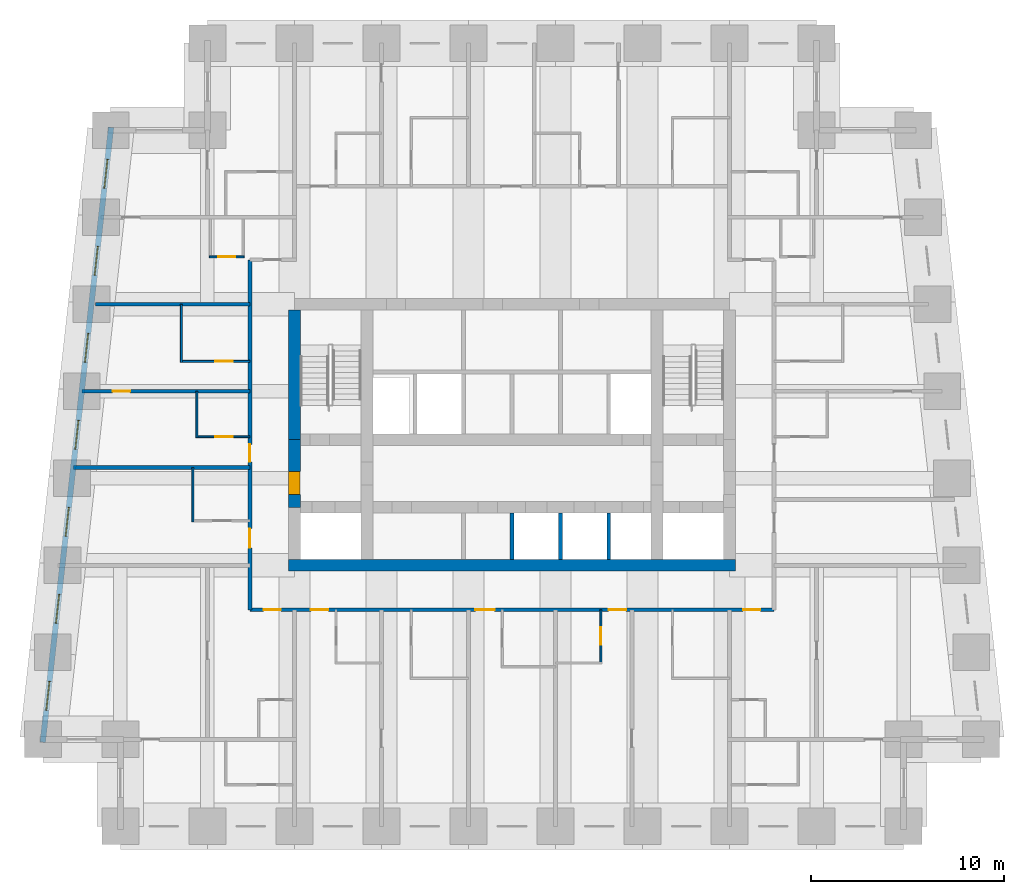
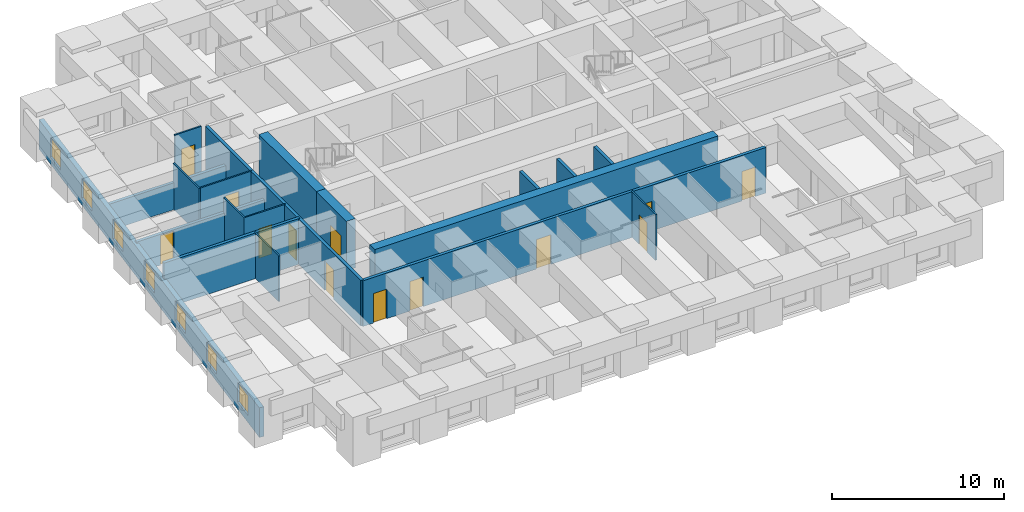
# One storey, part 3 of 8: 19 walls, 13 doors, 7 windows, 20 openings.
"""IFC4 building model written with IfcOpenShell, lengths in metres."""

import ifcopenshell
import ifcopenshell.guid

model = None  # the IFC model being written
_history = None  # IfcOwnerHistory: only IFC2X3 demands one
_inside = {}  # id of a spatial element -> (the spatial element, [elements in it])
_under = {}  # id of a project, library or spatial element -> (it, [spatial elements below it])
_declared = {}  # id of a project -> (the project, [libraries it declares])
_typed = {}  # id of a type object -> (the type object, [elements of that type])
_made_of = {}  # id of a material, layer set ... -> (it, [elements and type objects made of it])


def new_model(schema):
    """Start an empty IFC model of exactly this schema.

    Asked for "IFC4X3", IfcOpenShell would pick the latest addendum, in which some entities
    have other attributes; the version numbers below select the first issue.
    IFC2X3 requires an IfcOwnerHistory on every rooted entity: one is made here for all.
    """
    global model, _history
    if schema == "IFC4X3":
        model = ifcopenshell.file(schema_version=(4, 3, 0, 0))
    else:
        model = ifcopenshell.file(schema=schema)
    _inside.clear()
    _under.clear()
    _declared.clear()
    _typed.clear()
    _made_of.clear()
    _history = None
    if model.schema == "IFC2X3":
        org = make("IfcOrganization", Name="unknown")
        user = make(
            "IfcPersonAndOrganization",
            ThePerson=make("IfcPerson", FamilyName="unknown"),
            TheOrganization=org,
        )
        app = make(
            "IfcApplication",
            ApplicationDeveloper=org,
            Version="unknown",
            ApplicationFullName="unknown",
            ApplicationIdentifier="unknown",
        )
        _history = make(
            "IfcOwnerHistory",
            OwningUser=user,
            OwningApplication=app,
            ChangeAction="ADDED",
            CreationDate=0,
        )
    return model


def make(cls, **values):
    """One entity of the class cls with the attributes given. An attribute that is None is left unset."""
    return model.create_entity(
        cls, **{name: value for name, value in values.items() if value is not None}
    )


def rooted(cls, **values):
    """An entity with a GlobalId (a new one), such as an element, a storey or a relation."""
    return make(cls, GlobalId=ifcopenshell.guid.new(), OwnerHistory=_history, **values)


def si_unit(unit_type, name, prefix=None):
    """IfcSIUnit, for example si_unit("LENGTHUNIT", "METRE", prefix="MILLI")."""
    return make("IfcSIUnit", UnitType=unit_type, Prefix=prefix, Name=name)


def assignment(units):
    """IfcUnitAssignment: the units of a project."""
    return None if units is None else make("IfcUnitAssignment", Units=units)


def point(xyz):
    """IfcCartesianPoint."""
    return None if xyz is None else make("IfcCartesianPoint", Coordinates=xyz)


def direction(xyz):
    """IfcDirection."""
    return None if xyz is None else make("IfcDirection", DirectionRatios=xyz)


def frame(location, z_axis=None, x_axis=None):
    """IfcAxis2Placement3D, a coordinate frame: its origin and axes. An axis left out is left unset."""
    return make(
        "IfcAxis2Placement3D",
        Location=point(location),
        Axis=direction(z_axis),
        RefDirection=direction(x_axis),
    )


def frame_2d(location, x_axis=None):
    """IfcAxis2Placement2D, a coordinate frame in the plane: its origin and x axis."""
    return make(
        "IfcAxis2Placement2D", Location=point(location), RefDirection=direction(x_axis)
    )


def origin():
    """The frame at (0, 0, 0) with its axes left unset."""
    return frame((0.0, 0.0, 0.0))


def place(relative_to, where):
    """IfcLocalPlacement: puts the frame where relative to a parent placement (None: the world)."""
    return make(
        "IfcLocalPlacement", PlacementRelTo=relative_to, RelativePlacement=where
    )


def context(
    kind, dimensions, precision=None, world=None, true_north=None, identifier=None
):
    """IfcGeometricRepresentationContext, for example the 3D "Model" context."""
    return make(
        "IfcGeometricRepresentationContext",
        ContextIdentifier=identifier,
        ContextType=kind,
        CoordinateSpaceDimension=dimensions,
        Precision=precision,
        WorldCoordinateSystem=world,
        TrueNorth=true_north,
    )


def subcontext(parent, identifier, kind, view, scale=None):
    """IfcGeometricRepresentationSubContext, for example "Body" below "Model"."""
    return make(
        "IfcGeometricRepresentationSubContext",
        ContextIdentifier=identifier,
        ContextType=kind,
        ParentContext=parent,
        TargetScale=scale,
        TargetView=view,
    )


def project(units=None, contexts=None):
    """IfcProject with its units and contexts."""
    return rooted(
        "IfcProject",
        Name="project",
        RepresentationContexts=contexts,
        UnitsInContext=assignment(units),
    )


def spatial(cls, under=None, at=None, **own):
    """A site, building, storey or space (cls), placed at a placement, below another one or the project."""
    s = rooted(cls, ObjectPlacement=at, **own)
    if under is not None:
        _under.setdefault(under.id(), (under, []))[1].append(s)
    return s


def profile(cls, at=None, kind="AREA", **sizes):
    """A parametric profile (cls). Its sizes go by their IFC names, for example OverallWidth=200.0."""
    return make(cls, ProfileType=kind, Position=at, **sizes)


def rectangle(**sizes):
    """IfcRectangleProfileDef."""
    return profile("IfcRectangleProfileDef", **sizes)


def extrude(swept, where, along, depth):
    """IfcExtrudedAreaSolid: the profile swept, set in the frame where, extruded along a direction by depth."""
    return make(
        "IfcExtrudedAreaSolid",
        SweptArea=swept,
        Position=where,
        ExtrudedDirection=direction(along),
        Depth=depth,
    )


def shape(context_of_items, identifier, shape_type, items):
    """IfcShapeRepresentation: the items that make up one representation, for example the "Body"."""
    return make(
        "IfcShapeRepresentation",
        ContextOfItems=context_of_items,
        RepresentationIdentifier=identifier,
        RepresentationType=shape_type,
        Items=items,
    )


def material(Name=None, Category=None):
    """IfcMaterial."""
    return make("IfcMaterial", Name=Name, Category=Category)


def layer(
    of_material, thickness, ventilated=None, Name=None, Category=None, Priority=None
):
    """IfcMaterialLayer: one layer of a wall or slab, of a material (None: an air gap)."""
    return make(
        "IfcMaterialLayer",
        Material=of_material,
        LayerThickness=thickness,
        IsVentilated=ventilated,
        Name=Name,
        Category=Category,
        Priority=Priority,
    )


def layer_set(layers, Name=None):
    """IfcMaterialLayerSet."""
    return make("IfcMaterialLayerSet", MaterialLayers=layers, LayerSetName=Name)


def made_of(thing, what):
    """Note that an element or type object is made of a material, layer set ...; save() writes the relation."""
    if what is not None:
        _made_of.setdefault(what.id(), (what, []))[1].append(thing)
    return thing


def type_object(cls, material=None, **own):
    """A type object (cls), such as IfcWallType, which elements share."""
    return made_of(rooted(cls, **own), material)


def element(
    cls,
    number,
    at=None,
    inside=None,
    cuts=None,
    type_object=None,
    material=None,
    context=None,
    identifier="Body",
    shape_type=None,
    held_by="IfcProductDefinitionShape",
    body=None,
    shapes=None,
    **own,
):
    """One element of the class cls, such as IfcWall. Its Tag is "e" and its number.

    at: its placement. inside: the storey or other place that contains it. cuts: it is an
    opening in that element (IfcRelVoidsElement). A single representation is given by context,
    identifier, shape_type and body (its items); several are given by shapes. held_by: the class
    of the entity that holds the representations. save() writes the other relations.
    """
    e = rooted(cls, Tag="e%d" % number, ObjectPlacement=at, **own)
    if body is not None:
        shapes = [shape(context, identifier, shape_type, body)]
    if shapes is not None:
        e.Representation = make(held_by, Representations=shapes)
    if inside is not None:
        _inside.setdefault(inside.id(), (inside, []))[1].append(e)
    if cuts is not None:
        rooted(
            "IfcRelVoidsElement", RelatingBuildingElement=cuts, RelatedOpeningElement=e
        )
    if type_object is not None:
        _typed.setdefault(type_object.id(), (type_object, []))[1].append(e)
    return made_of(e, material)


def fill(opening, filler):
    """IfcRelFillsElement: the door or window that sits in an opening."""
    return rooted(
        "IfcRelFillsElement",
        RelatingOpeningElement=opening,
        RelatedBuildingElement=filler,
    )


def aggregate(whole, parts):
    """IfcRelAggregates: a whole, such as a stair, and the parts it consists of."""
    return rooted("IfcRelAggregates", RelatingObject=whole, RelatedObjects=parts)


def save(model, path):
    """Write the relations noted so far, then the file.

    IfcRelAggregates (storeys below a building ...), IfcRelContainedInSpatialStructure (elements
    in a storey), IfcRelDefinesByType, IfcRelAssociatesMaterial and IfcRelDeclares: one each for
    every whole, place, type object, material and project.
    """
    for whole, parts in _under.values():
        aggregate(whole, parts)
    for where, things in _inside.values():
        rooted(
            "IfcRelContainedInSpatialStructure",
            RelatedElements=things,
            RelatingStructure=where,
        )
    for kind, things in _typed.values():
        rooted("IfcRelDefinesByType", RelatedObjects=things, RelatingType=kind)
    for what, things in _made_of.values():
        rooted("IfcRelAssociatesMaterial", RelatedObjects=things, RelatingMaterial=what)
    for by, libraries in _declared.values():
        rooted("IfcRelDeclares", RelatingContext=by, RelatedDefinitions=libraries)
    model.write(path)


model = new_model("IFC4")

# Units and contexts
model_context = context("Model", 3, precision=1e-05, world=origin(), true_north=direction((0.0, 1.0)))
body_context = subcontext(model_context, "Body", "Model", "MODEL_VIEW")
ifc_project = project(units=[si_unit("LENGTHUNIT", "METRE"), si_unit("AREAUNIT", "SQUARE_METRE"), si_unit("VOLUMEUNIT", "CUBIC_METRE"), si_unit("PLANEANGLEUNIT", "RADIAN"), si_unit("MASSUNIT", "GRAM", prefix="KILO")], contexts=[model_context])

# Site, building, storey
site_placement = place(None, origin())
site = spatial("IfcSite", under=ifc_project, at=site_placement, CompositionType="ELEMENT")
building_placement = place(site_placement, origin())
building = spatial("IfcBuilding", under=site, at=building_placement, Name="Kilele Tower Hotel", CompositionType="ELEMENT")
storey_placement = place(building_placement, frame((0.0, 0.0, 142.39990234375)))
storey = spatial("IfcBuildingStorey", under=building, at=storey_placement, Name="L37", CompositionType="ELEMENT", Elevation=142.39990234375)

# Wall, opening, door
ifc_material_1 = material(Name="Moisture-resistant board")
ifc_layer_1 = layer(ifc_material_1, 0.10009765625)
ifc_layer_set_1 = layer_set([ifc_layer_1], Name="Moisture-resistant board")
wall_type_1 = type_object("IfcWallType", Name="Bathroom partition 100", PredefinedType="PLUMBINGWALL", material=ifc_layer_set_1)
wall_1_placement = place(storey_placement, frame((29.35009765625, 11.199951171875, 0.0), z_axis=(0.0, 0.0, 1.0), x_axis=(0.0, -1.0, 0.0)))
wall_1 = element("IfcWall", 1, at=wall_1_placement, inside=storey, type_object=wall_type_1, Name="Bathroom partition 100 L37", PredefinedType="PLUMBINGWALL", context=body_context, shape_type="SweptSolid", body=[
    extrude(rectangle(XDim=2.800048828125, YDim=0.10009765625, at=frame_2d((1.39990234375, 0.0))), origin(), (0.0, 0.0, 1.0), 3.25),
])
opening_1_placement = place(wall_1_placement, frame((0.89990234375, 0.0, 0.0)))
opening_1 = element("IfcOpeningElement", 2, at=opening_1_placement, cuts=wall_1, Name="Opening D2A", PredefinedType="OPENING", context=body_context, shape_type="SweptSolid", body=[
    extrude(rectangle(XDim=0.89990234375, YDim=2.10009765625, at=frame_2d((0.449951171875, 1.050048828125))), frame((0.0, 0.06005859375, 0.0), z_axis=(0.0, -1.0, 0.0), x_axis=(1.0, 0.0, 0.0)), (0.0, 0.0, 1.0), 0.1201171875),
])
ifc_material_2 = material(Name="Timber door leaf in hardwood frame", Category="wood")
door_type_1 = type_object("IfcDoorType", Name="Bathroom door 900", OperationType="SINGLE_SWING_LEFT", PredefinedType="DOOR", material=ifc_material_2)
door_1_placement = place(opening_1_placement, origin())
door_1 = element("IfcDoor", 3, at=door_1_placement, inside=storey, type_object=door_type_1, Name="Bathroom door 3704B", OperationType="SINGLE_SWING_LEFT", OverallHeight=2.10009765625, OverallWidth=0.89990234375, PredefinedType="DOOR", context=body_context, shape_type="SweptSolid", body=[
    extrude(rectangle(XDim=0.89990234375, YDim=2.10009765625, at=frame_2d((0.449951171875, 1.050048828125))), frame((0.0, 0.02490234375, 0.0), z_axis=(0.0, -1.0, 0.0), x_axis=(1.0, 0.0, 0.0)), (0.0, 0.0, 1.0), 0.050048828125),
])
fill(opening_1, door_1)

# Walls
wall_2_placement = place(storey_placement, frame((8.25, 15.75, 0.0), z_axis=(0.0, 0.0, 1.0), x_axis=(0.0, 1.0, 0.0)))
element("IfcWall", 4, at=wall_2_placement, inside=storey, type_object=wall_type_1, Name="Bathroom partition 100 L37", PredefinedType="PLUMBINGWALL", context=body_context, shape_type="SweptSolid", body=[
    extrude(rectangle(XDim=2.800048828125, YDim=0.10009765625, at=frame_2d((1.39990234375, 0.0))), origin(), (0.0, 0.0, 1.0), 3.25),
])
wall_3_placement = place(storey_placement, frame((8.449951171875, 20.10009765625, 0.0), z_axis=(0.0, 0.0, 1.0), x_axis=(0.0, 1.0, 0.0)))
element("IfcWall", 5, at=wall_3_placement, inside=storey, type_object=wall_type_1, Name="Bathroom partition 100 L37", PredefinedType="PLUMBINGWALL", context=body_context, shape_type="SweptSolid", body=[
    extrude(rectangle(XDim=2.39990234375, YDim=0.10009765625, at=frame_2d((1.199951171875, 0.0))), origin(), (0.0, 0.0, 1.0), 3.25),
])

# Wall, opening, door
wall_4_placement = place(storey_placement, frame((11.199951171875, 20.14990234375, 0.0), z_axis=(0.0, 0.0, 1.0), x_axis=(-1.0, 0.0, 0.0)))
wall_4 = element("IfcWall", 6, at=wall_4_placement, inside=storey, type_object=wall_type_1, Name="Bathroom partition 100 L37", PredefinedType="PLUMBINGWALL", context=body_context, shape_type="SweptSolid", body=[
    extrude(rectangle(XDim=2.800048828125, YDim=0.10009765625, at=frame_2d((1.39990234375, 0.0))), origin(), (0.0, 0.0, 1.0), 3.25),
])
opening_2_placement = place(wall_4_placement, frame((0.89990234375, 0.0, 0.0)))
opening_2 = element("IfcOpeningElement", 7, at=opening_2_placement, cuts=wall_4, Name="Opening D2A", PredefinedType="OPENING", context=body_context, shape_type="SweptSolid", body=[
    extrude(rectangle(XDim=0.89990234375, YDim=2.10009765625, at=frame_2d((0.449951171875, 1.050048828125))), frame((0.0, 0.06005859375, 0.0), z_axis=(0.0, -1.0, 0.0), x_axis=(1.0, 0.0, 0.0)), (0.0, 0.0, 1.0), 0.1201171875),
])
door_2_placement = place(opening_2_placement, origin())
door_2 = element("IfcDoor", 8, at=door_2_placement, inside=storey, type_object=door_type_1, Name="Bathroom door 3715B", OperationType="SINGLE_SWING_LEFT", OverallHeight=2.10009765625, OverallWidth=0.89990234375, PredefinedType="DOOR", context=body_context, shape_type="SweptSolid", body=[
    extrude(rectangle(XDim=0.89990234375, YDim=2.10009765625, at=frame_2d((0.449951171875, 1.050048828125))), frame((0.0, 0.02490234375, 0.0), z_axis=(0.0, -1.0, 0.0), x_axis=(1.0, 0.0, 0.0)), (0.0, 0.0, 1.0), 0.050048828125),
])
fill(opening_2, door_2)

# Wall
wall_5_placement = place(storey_placement, frame((7.64990234375, 24.0, 0.0), z_axis=(0.0, 0.0, 1.0), x_axis=(0.0, 1.0, 0.0)))
element("IfcWall", 9, at=wall_5_placement, inside=storey, type_object=wall_type_1, Name="Bathroom partition 100 L37", PredefinedType="PLUMBINGWALL", context=body_context, shape_type="SweptSolid", body=[
    extrude(rectangle(XDim=3.0, YDim=0.10009765625, at=frame_2d((1.5, 0.0))), origin(), (0.0, 0.0, 1.0), 3.25),
])

# Wall, opening, door
wall_6_placement = place(storey_placement, frame((11.199951171875, 24.050048828125, 0.0), z_axis=(0.0, 0.0, 1.0), x_axis=(-1.0, 0.0, 0.0)))
wall_6 = element("IfcWall", 10, at=wall_6_placement, inside=storey, type_object=wall_type_1, Name="Bathroom partition 100 L37", PredefinedType="PLUMBINGWALL", context=body_context, shape_type="SweptSolid", body=[
    extrude(rectangle(XDim=3.599853515625, YDim=0.10009765625, at=frame_2d((1.7998046875, 0.0))), origin(), (0.0, 0.0, 1.0), 3.25),
])
opening_3_placement = place(wall_6_placement, frame((0.89990234375, 0.0, 0.0)))
opening_3 = element("IfcOpeningElement", 11, at=opening_3_placement, cuts=wall_6, Name="Opening D2A", PredefinedType="OPENING", context=body_context, shape_type="SweptSolid", body=[
    extrude(rectangle(XDim=0.89990234375, YDim=2.10009765625, at=frame_2d((0.449951171875, 1.050048828125))), frame((0.0, 0.06005859375, 0.0), z_axis=(0.0, -1.0, 0.0), x_axis=(1.0, 0.0, 0.0)), (0.0, 0.0, 1.0), 0.1201171875),
])
door_3_placement = place(opening_3_placement, origin())
door_3 = element("IfcDoor", 12, at=door_3_placement, inside=storey, type_object=door_type_1, Name="Bathroom door 3716B", OperationType="SINGLE_SWING_LEFT", OverallHeight=2.10009765625, OverallWidth=0.89990234375, PredefinedType="DOOR", context=body_context, shape_type="SweptSolid", body=[
    extrude(rectangle(XDim=0.89990234375, YDim=2.10009765625, at=frame_2d((0.449951171875, 1.050048828125))), frame((0.0, 0.02490234375, 0.0), z_axis=(0.0, -1.0, 0.0), x_axis=(1.0, 0.0, 0.0)), (0.0, 0.0, 1.0), 0.050048828125),
])
fill(opening_3, door_3)

wall_7_placement = place(storey_placement, frame((10.89990234375, 29.449951171875, 0.0), z_axis=(0.0, 0.0, 1.0), x_axis=(-1.0, 0.0, 0.0)))
wall_7 = element("IfcWall", 13, at=wall_7_placement, inside=storey, type_object=wall_type_1, Name="Bathroom partition 100 L37", PredefinedType="PLUMBINGWALL", context=body_context, shape_type="SweptSolid", body=[
    extrude(rectangle(XDim=1.7998046875, YDim=0.10009765625, at=frame_2d((0.89990234375, 0.0))), origin(), (0.0, 0.0, 1.0), 3.25),
])
opening_4_placement = place(wall_7_placement, frame((0.449951171875, 0.0, 0.0)))
opening_4 = element("IfcOpeningElement", 14, at=opening_4_placement, cuts=wall_7, Name="Opening D2A", PredefinedType="OPENING", context=body_context, shape_type="SweptSolid", body=[
    extrude(rectangle(XDim=0.89990234375, YDim=2.10009765625, at=frame_2d((0.449951171875, 1.050048828125))), frame((0.0, 0.06005859375, 0.0), z_axis=(0.0, -1.0, 0.0), x_axis=(1.0, 0.0, 0.0)), (0.0, 0.0, 1.0), 0.1201171875),
])
door_4_placement = place(opening_4_placement, origin())
door_4 = element("IfcDoor", 15, at=door_4_placement, inside=storey, type_object=door_type_1, Name="Bathroom door 3726P", OperationType="SINGLE_SWING_LEFT", OverallHeight=2.10009765625, OverallWidth=0.89990234375, PredefinedType="DOOR", context=body_context, shape_type="SweptSolid", body=[
    extrude(rectangle(XDim=0.89990234375, YDim=2.10009765625, at=frame_2d((0.449951171875, 1.050048828125))), frame((0.0, 0.02490234375, 0.0), z_axis=(0.0, -1.0, 0.0), x_axis=(1.0, 0.0, 0.0)), (0.0, 0.0, 1.0), 0.050048828125),
])
fill(opening_4, door_4)

# Walls
ifc_material_3 = material(Name="Concrete C60/75", Category="concrete")
ifc_layer_2 = layer(ifc_material_3, 0.60009765625)
ifc_layer_set_2 = layer_set([ifc_layer_2], Name="Concrete C60/75")
wall_type_2 = type_object("IfcWallType", Name="Core wall 600 C60/75", PredefinedType="SHEAR", material=ifc_layer_set_2)
wall_8_placement = place(storey_placement, frame((13.199951171875, 13.5, 0.0), z_axis=(0.0, 0.0, 1.0), x_axis=(1.0, 0.0, 0.0)))
element("IfcWall", 16, at=wall_8_placement, inside=storey, type_object=wall_type_2, Name="Core wall S L37", PredefinedType="SHEAR", context=body_context, shape_type="SweptSolid", body=[
    extrude(rectangle(XDim=23.10009765625, YDim=0.60009765625, at=frame_2d((11.550048828125, 0.0))), origin(), (0.0, 0.0, 1.0), 3.5),
])
wall_9_placement = place(storey_placement, frame((13.5, 26.699951171875, 0.0), z_axis=(0.0, 0.0, 1.0), x_axis=(0.0, -1.0, 0.0)))
element("IfcWall", 17, at=wall_9_placement, inside=storey, type_object=wall_type_2, Name="Core wall W1 L37", PredefinedType="SHEAR", context=body_context, shape_type="SweptSolid", body=[
    extrude(rectangle(XDim=6.699951171875, YDim=0.60009765625, at=frame_2d((3.35009765625, 0.0))), origin(), (0.0, 0.0, 1.0), 3.5),
])

# Wall, opening, door
wall_10_placement = place(storey_placement, frame((13.5, 20.0, 0.0), z_axis=(0.0, 0.0, 1.0), x_axis=(0.0, -1.0, 0.0)))
wall_10 = element("IfcWall", 18, at=wall_10_placement, inside=storey, type_object=wall_type_2, Name="Core wall W2 L37", PredefinedType="SHEAR", context=body_context, shape_type="SweptSolid", body=[
    extrude(rectangle(XDim=3.5, YDim=0.60009765625, at=frame_2d((1.75, 0.0))), origin(), (0.0, 0.0, 1.0), 3.5),
])
opening_5_placement = place(wall_10_placement, frame((1.64990234375, 0.0, 0.0)))
opening_5 = element("IfcOpeningElement", 19, at=opening_5_placement, cuts=wall_10, Name="Opening D4", PredefinedType="OPENING", context=body_context, shape_type="SweptSolid", body=[
    extrude(rectangle(XDim=1.199951171875, YDim=2.10009765625, at=frame_2d((0.60009765625, 1.050048828125))), frame((0.0, 0.31005859375, 0.0), z_axis=(0.0, -1.0, 0.0), x_axis=(1.0, 0.0, 0.0)), (0.0, 0.0, 1.0), 0.6201171875),
])
ifc_material_4 = material(Name="Timber door leaf in hardwood frame", Category="wood")
door_type_2 = type_object("IfcDoorType", Name="Firefighting lobby door 1200", OperationType="SINGLE_SWING_LEFT", PredefinedType="DOOR", material=ifc_material_4)
door_5_placement = place(opening_5_placement, origin())
door_5 = element("IfcDoor", 20, at=door_5_placement, inside=storey, type_object=door_type_2, Name="Lobby door L37", OperationType="SINGLE_SWING_RIGHT", OverallHeight=2.10009765625, OverallWidth=1.199951171875, PredefinedType="DOOR", context=body_context, shape_type="SweptSolid", body=[
    extrude(rectangle(XDim=1.199951171875, YDim=2.10009765625, at=frame_2d((0.60009765625, 1.050048828125))), frame((0.0, 0.2998046875, 0.0), z_axis=(0.0, -1.0, 0.0), x_axis=(1.0, 0.0, 0.0)), (0.0, 0.0, 1.0), 0.599609375),
])
fill(opening_5, door_5)

# Wall, openings, doors
ifc_material_5 = material(Name="Blockwork, plastered both sides", Category="masonry")
ifc_layer_3 = layer(ifc_material_5, 0.199951171875)
ifc_layer_set_3 = layer_set([ifc_layer_3], Name="Blockwork, plastered both sides")
wall_type_3 = type_object("IfcWallType", Name="Corridor wall 200", PredefinedType="PARTITIONING", material=ifc_layer_set_3)
wall_11_placement = place(storey_placement, frame((11.199951171875, 11.199951171875, 0.0), z_axis=(0.0, 0.0, 1.0), x_axis=(1.0, 0.0, 0.0)))
wall_11 = element("IfcWall", 21, at=wall_11_placement, inside=storey, type_object=wall_type_3, Name="Corridor wall 200 L37", PredefinedType="PARTITIONING", context=body_context, shape_type="SweptSolid", body=[
    extrude(rectangle(XDim=27.10009765625, YDim=0.199951171875, at=frame_2d((13.550048828125, 0.0))), origin(), (0.0, 0.0, 1.0), 3.25),
])
opening_6_placement = place(wall_11_placement, frame((4.0498046875, 0.0, 0.0), z_axis=(0.0, 0.0, 1.0), x_axis=(-1.0, 0.0, 0.0)))
opening_6 = element("IfcOpeningElement", 22, at=opening_6_placement, cuts=wall_11, Name="Opening D1", PredefinedType="OPENING", context=body_context, shape_type="SweptSolid", body=[
    extrude(rectangle(XDim=0.89990234375, YDim=2.10009765625, at=frame_2d((0.449951171875, 1.050048828125))), frame((0.0, 0.10986328125, 0.0), z_axis=(0.0, -1.0, 0.0), x_axis=(1.0, 0.0, 0.0)), (0.0, 0.0, 1.0), 0.219970703125),
])
opening_7_placement = place(wall_11_placement, frame((12.64990234375, 0.0, 0.0), z_axis=(0.0, 0.0, 1.0), x_axis=(-1.0, 0.0, 0.0)))
opening_7 = element("IfcOpeningElement", 23, at=opening_7_placement, cuts=wall_11, Name="Opening D1A", PredefinedType="OPENING", context=body_context, shape_type="SweptSolid", body=[
    extrude(rectangle(XDim=1.0, YDim=2.10009765625, at=frame_2d((0.5, 1.050048828125))), frame((0.0, 0.10986328125, 0.0), z_axis=(0.0, -1.0, 0.0), x_axis=(1.0, 0.0, 0.0)), (0.0, 0.0, 1.0), 0.219970703125),
])
opening_8_placement = place(wall_11_placement, frame((19.449951171875, 0.0, 0.0), z_axis=(0.0, 0.0, 1.0), x_axis=(-1.0, 0.0, 0.0)))
opening_8 = element("IfcOpeningElement", 24, at=opening_8_placement, cuts=wall_11, Name="Opening D1", PredefinedType="OPENING", context=body_context, shape_type="SweptSolid", body=[
    extrude(rectangle(XDim=0.89990234375, YDim=2.10009765625, at=frame_2d((0.449951171875, 1.050048828125))), frame((0.0, 0.10986328125, 0.0), z_axis=(0.0, -1.0, 0.0), x_axis=(1.0, 0.0, 0.0)), (0.0, 0.0, 1.0), 0.219970703125),
])
opening_9_placement = place(wall_11_placement, frame((1.599853515625, 0.0, 0.0), z_axis=(0.0, 0.0, 1.0), x_axis=(-1.0, 0.0, 0.0)))
opening_9 = element("IfcOpeningElement", 25, at=opening_9_placement, cuts=wall_11, Name="Opening D1", PredefinedType="OPENING", context=body_context, shape_type="SweptSolid", body=[
    extrude(rectangle(XDim=0.89990234375, YDim=2.10009765625, at=frame_2d((0.449951171875, 1.050048828125))), frame((0.0, 0.10986328125, 0.0), z_axis=(0.0, -1.0, 0.0), x_axis=(1.0, 0.0, 0.0)), (0.0, 0.0, 1.0), 0.219970703125),
])
opening_10_placement = place(wall_11_placement, frame((26.39990234375, 0.0, 0.0), z_axis=(0.0, 0.0, 1.0), x_axis=(-1.0, 0.0, 0.0)))
opening_10 = element("IfcOpeningElement", 26, at=opening_10_placement, cuts=wall_11, Name="Opening D1", PredefinedType="OPENING", context=body_context, shape_type="SweptSolid", body=[
    extrude(rectangle(XDim=0.89990234375, YDim=2.10009765625, at=frame_2d((0.449951171875, 1.050048828125))), frame((0.0, 0.10986328125, 0.0), z_axis=(0.0, -1.0, 0.0), x_axis=(1.0, 0.0, 0.0)), (0.0, 0.0, 1.0), 0.219970703125),
])
ifc_material_6 = material(Name="Timber door leaf in hardwood frame", Category="wood")
door_type_3 = type_object("IfcDoorType", Name="Guest room entrance door 1000", OperationType="SINGLE_SWING_LEFT", PredefinedType="DOOR", material=ifc_material_6)
door_6_placement = place(opening_7_placement, origin())
door_6 = element("IfcDoor", 27, at=door_6_placement, inside=storey, type_object=door_type_3, Name="Room entrance 3703", OperationType="SINGLE_SWING_RIGHT", OverallHeight=2.10009765625, OverallWidth=1.0, PredefinedType="DOOR", context=body_context, shape_type="SweptSolid", body=[
    extrude(rectangle(XDim=1.0, YDim=2.10009765625, at=frame_2d((0.5, 1.050048828125))), frame((0.0, 0.02490234375, 0.0), z_axis=(0.0, -1.0, 0.0), x_axis=(1.0, 0.0, 0.0)), (0.0, 0.0, 1.0), 0.050048828125),
])
fill(opening_7, door_6)
ifc_material_7 = material(Name="Timber door leaf in hardwood frame", Category="wood")
door_type_4 = type_object("IfcDoorType", Name="Guest room entrance door 900", OperationType="SINGLE_SWING_LEFT", PredefinedType="DOOR", material=ifc_material_7)
door_7_placement = place(opening_6_placement, origin())
door_7 = element("IfcDoor", 28, at=door_7_placement, inside=storey, type_object=door_type_4, Name="Room entrance 3701", OperationType="SINGLE_SWING_LEFT", OverallHeight=2.10009765625, OverallWidth=0.89990234375, PredefinedType="DOOR", context=body_context, shape_type="SweptSolid", body=[
    extrude(rectangle(XDim=0.89990234375, YDim=2.10009765625, at=frame_2d((0.449951171875, 1.050048828125))), frame((0.0, 0.02490234375, 0.0), z_axis=(0.0, -1.0, 0.0), x_axis=(1.0, 0.0, 0.0)), (0.0, 0.0, 1.0), 0.050048828125),
])
fill(opening_6, door_7)
door_8_placement = place(opening_8_placement, origin())
door_8 = element("IfcDoor", 29, at=door_8_placement, inside=storey, type_object=door_type_4, Name="Room entrance 3704", OperationType="SINGLE_SWING_LEFT", OverallHeight=2.10009765625, OverallWidth=0.89990234375, PredefinedType="DOOR", context=body_context, shape_type="SweptSolid", body=[
    extrude(rectangle(XDim=0.89990234375, YDim=2.10009765625, at=frame_2d((0.449951171875, 1.050048828125))), frame((0.0, 0.02490234375, 0.0), z_axis=(0.0, -1.0, 0.0), x_axis=(1.0, 0.0, 0.0)), (0.0, 0.0, 1.0), 0.050048828125),
])
fill(opening_8, door_8)
door_9_placement = place(opening_9_placement, origin())
door_9 = element("IfcDoor", 30, at=door_9_placement, inside=storey, type_object=door_type_4, Name="Room entrance 3717", OperationType="SINGLE_SWING_LEFT", OverallHeight=2.10009765625, OverallWidth=0.89990234375, PredefinedType="DOOR", context=body_context, shape_type="SweptSolid", body=[
    extrude(rectangle(XDim=0.89990234375, YDim=2.10009765625, at=frame_2d((0.449951171875, 1.050048828125))), frame((0.0, 0.02490234375, 0.0), z_axis=(0.0, -1.0, 0.0), x_axis=(1.0, 0.0, 0.0)), (0.0, 0.0, 1.0), 0.050048828125),
])
fill(opening_9, door_9)
door_10_placement = place(opening_10_placement, origin())
door_10 = element("IfcDoor", 31, at=door_10_placement, inside=storey, type_object=door_type_4, Name="Room entrance 3720", OperationType="SINGLE_SWING_RIGHT", OverallHeight=2.10009765625, OverallWidth=0.89990234375, PredefinedType="DOOR", context=body_context, shape_type="SweptSolid", body=[
    extrude(rectangle(XDim=0.89990234375, YDim=2.10009765625, at=frame_2d((0.449951171875, 1.050048828125))), frame((0.0, 0.02490234375, 0.0), z_axis=(0.0, -1.0, 0.0), x_axis=(1.0, 0.0, 0.0)), (0.0, 0.0, 1.0), 0.050048828125),
])
fill(opening_10, door_10)

wall_12_placement = place(storey_placement, frame((11.199951171875, 11.199951171875, 0.0), z_axis=(0.0, 0.0, 1.0), x_axis=(0.0, 1.0, 0.0)))
wall_12 = element("IfcWall", 32, at=wall_12_placement, inside=storey, type_object=wall_type_3, Name="Corridor wall 200 L37", PredefinedType="PARTITIONING", context=body_context, shape_type="SweptSolid", body=[
    extrude(rectangle(XDim=18.10009765625, YDim=0.199951171875, at=frame_2d((9.050048828125, 0.0))), origin(), (0.0, 0.0, 1.0), 3.25),
])
opening_11_placement = place(wall_12_placement, frame((3.199951171875, 0.0, 0.0)))
opening_11 = element("IfcOpeningElement", 33, at=opening_11_placement, cuts=wall_12, Name="Opening D8", PredefinedType="OPENING", context=body_context, shape_type="SweptSolid", body=[
    extrude(rectangle(XDim=1.0, YDim=2.10009765625, at=frame_2d((0.5, 1.050048828125))), frame((0.0, 0.10986328125, 0.0), z_axis=(0.0, -1.0, 0.0), x_axis=(1.0, 0.0, 0.0)), (0.0, 0.0, 1.0), 0.219970703125),
])
opening_12_placement = place(wall_12_placement, frame((7.64990234375, 0.0, 0.0)))
opening_12 = element("IfcOpeningElement", 34, at=opening_12_placement, cuts=wall_12, Name="Opening D1", PredefinedType="OPENING", context=body_context, shape_type="SweptSolid", body=[
    extrude(rectangle(XDim=0.89990234375, YDim=2.10009765625, at=frame_2d((0.449951171875, 1.050048828125))), frame((0.0, 0.10986328125, 0.0), z_axis=(0.0, -1.0, 0.0), x_axis=(1.0, 0.0, 0.0)), (0.0, 0.0, 1.0), 0.219970703125),
])
ifc_material_8 = material(Name="Timber door leaf in hardwood frame", Category="wood")
door_type_5 = type_object("IfcDoorType", Name="Door 1000", OperationType="SINGLE_SWING_LEFT", PredefinedType="DOOR", material=ifc_material_8)
door_11_placement = place(opening_11_placement, origin())
door_11 = element("IfcDoor", 35, at=door_11_placement, inside=storey, type_object=door_type_5, Name="Room entrance 3714", OperationType="SINGLE_SWING_RIGHT", OverallHeight=2.10009765625, OverallWidth=1.0, PredefinedType="DOOR", context=body_context, shape_type="SweptSolid", body=[
    extrude(rectangle(XDim=1.0, YDim=2.10009765625, at=frame_2d((0.5, 1.050048828125))), frame((0.0, 0.02490234375, 0.0), z_axis=(0.0, -1.0, 0.0), x_axis=(1.0, 0.0, 0.0)), (0.0, 0.0, 1.0), 0.050048828125),
])
fill(opening_11, door_11)
door_12_placement = place(opening_12_placement, origin())
door_12 = element("IfcDoor", 36, at=door_12_placement, inside=storey, type_object=door_type_4, Name="Room entrance 3715", OperationType="SINGLE_SWING_LEFT", OverallHeight=2.10009765625, OverallWidth=0.89990234375, PredefinedType="DOOR", context=body_context, shape_type="SweptSolid", body=[
    extrude(rectangle(XDim=0.89990234375, YDim=2.10009765625, at=frame_2d((0.449951171875, 1.050048828125))), frame((0.0, 0.02490234375, 0.0), z_axis=(0.0, -1.0, 0.0), x_axis=(1.0, 0.0, 0.0)), (0.0, 0.0, 1.0), 0.050048828125),
])
fill(opening_12, door_12)

# Wall
ifc_material_9 = material(Name="Blockwork, plastered both sides", Category="masonry")
ifc_layer_4 = layer(ifc_material_9, 0.199951171875)
ifc_layer_set_4 = layer_set([ifc_layer_4], Name="Blockwork, plastered both sides")
wall_type_4 = type_object("IfcWallType", Name="Party wall 200", PredefinedType="PARTITIONING", material=ifc_layer_set_4)
wall_13_placement = place(storey_placement, frame((11.199951171875, 18.550048828125, 0.0), z_axis=(0.0, 0.0, 1.0), x_axis=(-1.0, 0.0, 0.0)))
element("IfcWall", 37, at=wall_13_placement, inside=storey, type_object=wall_type_4, Name="Party wall 200 L37", PredefinedType="PARTITIONING", context=body_context, shape_type="SweptSolid", body=[
    extrude(rectangle(XDim=9.137939453125, YDim=0.199951171875, at=frame_2d((4.56884765625, 0.0))), origin(), (0.0, 0.0, 1.0), 3.25),
])

# Wall, opening, door
wall_14_placement = place(storey_placement, frame((11.199951171875, 22.5, 0.0), z_axis=(0.0, 0.0, 1.0), x_axis=(-1.0, 0.0, 0.0)))
wall_14 = element("IfcWall", 38, at=wall_14_placement, inside=storey, type_object=wall_type_4, Name="Party wall 200 L37", PredefinedType="PARTITIONING", context=body_context, shape_type="SweptSolid", body=[
    extrude(rectangle(XDim=8.698974609375, YDim=0.199951171875, at=frame_2d((4.349609375, 0.0))), origin(), (0.0, 0.0, 1.0), 2.2001953125),
])
opening_13_placement = place(wall_14_placement, frame((7.099853515625, 0.0, 0.0), z_axis=(0.0, 0.0, 1.0), x_axis=(-1.0, 0.0, 0.0)))
opening_13 = element("IfcOpeningElement", 39, at=opening_13_placement, cuts=wall_14, Name="Opening D3", PredefinedType="OPENING", context=body_context, shape_type="SweptSolid", body=[
    extrude(rectangle(XDim=0.89990234375, YDim=2.10009765625, at=frame_2d((0.449951171875, 1.050048828125))), frame((0.0, 0.10986328125, 0.0), z_axis=(0.0, -1.0, 0.0), x_axis=(1.0, 0.0, 0.0)), (0.0, 0.0, 1.0), 0.219970703125),
])
ifc_material_10 = material(Name="Timber door leaf in hardwood frame", Category="wood")
door_type_6 = type_object("IfcDoorType", Name="Suite internal door 900", OperationType="SINGLE_SWING_LEFT", PredefinedType="DOOR", material=ifc_material_10)
door_13_placement = place(opening_13_placement, origin())
door_13 = element("IfcDoor", 40, at=door_13_placement, inside=storey, type_object=door_type_6, Name="Suite door 3716", OperationType="SINGLE_SWING_LEFT", OverallHeight=2.10009765625, OverallWidth=0.89990234375, PredefinedType="DOOR", context=body_context, shape_type="SweptSolid", body=[
    extrude(rectangle(XDim=0.89990234375, YDim=2.10009765625, at=frame_2d((0.449951171875, 1.050048828125))), frame((0.0, 0.02490234375, 0.0), z_axis=(0.0, -1.0, 0.0), x_axis=(1.0, 0.0, 0.0)), (0.0, 0.0, 1.0), 0.050048828125),
])
fill(opening_13, door_13)

# Wall
wall_15_placement = place(storey_placement, frame((11.199951171875, 27.0, 0.0), z_axis=(0.0, 0.0, 1.0), x_axis=(-1.0, 0.0, 0.0)))
element("IfcWall", 41, at=wall_15_placement, inside=storey, type_object=wall_type_4, Name="Party wall 200 L37", PredefinedType="PARTITIONING", context=body_context, shape_type="SweptSolid", body=[
    extrude(rectangle(XDim=7.976806640625, YDim=0.199951171875, at=frame_2d((3.98828125, 0.0))), origin(), (0.0, 0.0, 1.0), 1.900146484375),
])

# Wall, openings, windows
ifc_material_11 = material(Name="Concrete C40/50 precast", Category="concrete")
ifc_layer_5 = layer(ifc_material_11, 0.260009765625, Name="Precast backing", Category="LoadBearing")
ifc_material_12 = material(Name="Reconstituted stone finish", Category="masonry")
ifc_layer_6 = layer(ifc_material_12, 0.0400390625, Name="Face mix", Category="Finish")
ifc_layer_set_5 = layer_set([ifc_layer_5, ifc_layer_6], Name="Precast concrete C40/50, reconstituted stone finish")
wall_type_5 = type_object("IfcWallType", Name="Precast stone facade wall 300", PredefinedType="STANDARD", material=ifc_layer_set_5)
wall_16_placement = place(storey_placement, frame((4.0166015625, 36.149169921875, 0.0), z_axis=(0.0, 0.0, 1.0), x_axis=(-0.110433201132, -0.993883548555, 0.0)))
wall_16 = element("IfcWall", 42, at=wall_16_placement, inside=storey, type_object=wall_type_5, Name="Facade wall L37 edge 12", PredefinedType="STANDARD", context=body_context, shape_type="SweptSolid", body=[
    extrude(rectangle(XDim=31.994140625, YDim=0.300048828125, at=frame_2d((15.9970703125, 0.0))), origin(), (0.0, 0.0, 1.0), 2.10009765625),
])
opening_14_placement = place(wall_16_placement, frame((1.6640625, 0.0, 0.5)))
opening_14 = element("IfcOpeningElement", 43, at=opening_14_placement, cuts=wall_16, Name="Opening W2", PredefinedType="OPENING", context=body_context, shape_type="SweptSolid", body=[
    extrude(rectangle(XDim=1.5, YDim=1.39990234375, at=frame_2d((0.75, 0.699951171875))), frame((0.0, 0.159912109375, 0.0), z_axis=(0.0, -1.0, 0.0), x_axis=(1.0, 0.0, 0.0)), (0.0, 0.0, 1.0), 0.320068359375),
])
opening_15_placement = place(wall_16_placement, frame((6.19189453125, 0.0, 0.5)))
opening_15 = element("IfcOpeningElement", 44, at=opening_15_placement, cuts=wall_16, Name="Opening W2", PredefinedType="OPENING", context=body_context, shape_type="SweptSolid", body=[
    extrude(rectangle(XDim=1.5, YDim=1.39990234375, at=frame_2d((0.75, 0.699951171875))), frame((0.0, 0.159912109375, 0.0), z_axis=(0.0, -1.0, 0.0), x_axis=(1.0, 0.0, 0.0)), (0.0, 0.0, 1.0), 0.320068359375),
])
opening_16_placement = place(wall_16_placement, frame((10.718994140625, 0.0, 0.5)))
opening_16 = element("IfcOpeningElement", 45, at=opening_16_placement, cuts=wall_16, Name="Opening W2", PredefinedType="OPENING", context=body_context, shape_type="SweptSolid", body=[
    extrude(rectangle(XDim=1.5, YDim=1.39990234375, at=frame_2d((0.75, 0.699951171875))), frame((0.0, 0.159912109375, 0.0), z_axis=(0.0, -1.0, 0.0), x_axis=(1.0, 0.0, 0.0)), (0.0, 0.0, 1.0), 0.320068359375),
])
opening_17_placement = place(wall_16_placement, frame((15.2470703125, 0.0, 0.5)))
opening_17 = element("IfcOpeningElement", 46, at=opening_17_placement, cuts=wall_16, Name="Opening W2", PredefinedType="OPENING", context=body_context, shape_type="SweptSolid", body=[
    extrude(rectangle(XDim=1.5, YDim=1.39990234375, at=frame_2d((0.75, 0.699951171875))), frame((0.0, 0.159912109375, 0.0), z_axis=(0.0, -1.0, 0.0), x_axis=(1.0, 0.0, 0.0)), (0.0, 0.0, 1.0), 0.320068359375),
])
opening_18_placement = place(wall_16_placement, frame((19.77490234375, 0.0, 0.5)))
opening_18 = element("IfcOpeningElement", 47, at=opening_18_placement, cuts=wall_16, Name="Opening W2", PredefinedType="OPENING", context=body_context, shape_type="SweptSolid", body=[
    extrude(rectangle(XDim=1.5, YDim=1.39990234375, at=frame_2d((0.75, 0.699951171875))), frame((0.0, 0.159912109375, 0.0), z_axis=(0.0, -1.0, 0.0), x_axis=(1.0, 0.0, 0.0)), (0.0, 0.0, 1.0), 0.320068359375),
])
opening_19_placement = place(wall_16_placement, frame((24.302001953125, 0.0, 0.5)))
opening_19 = element("IfcOpeningElement", 48, at=opening_19_placement, cuts=wall_16, Name="Opening W2", PredefinedType="OPENING", context=body_context, shape_type="SweptSolid", body=[
    extrude(rectangle(XDim=1.5, YDim=1.39990234375, at=frame_2d((0.75, 0.699951171875))), frame((0.0, 0.159912109375, 0.0), z_axis=(0.0, -1.0, 0.0), x_axis=(1.0, 0.0, 0.0)), (0.0, 0.0, 1.0), 0.320068359375),
])
opening_20_placement = place(wall_16_placement, frame((28.830078125, 0.0, 0.5)))
opening_20 = element("IfcOpeningElement", 49, at=opening_20_placement, cuts=wall_16, Name="Opening W2", PredefinedType="OPENING", context=body_context, shape_type="SweptSolid", body=[
    extrude(rectangle(XDim=1.5, YDim=1.39990234375, at=frame_2d((0.75, 0.699951171875))), frame((0.0, 0.159912109375, 0.0), z_axis=(0.0, -1.0, 0.0), x_axis=(1.0, 0.0, 0.0)), (0.0, 0.0, 1.0), 0.320068359375),
])
ifc_material_13 = material(Name="Aluminium frame, clear double glazing", Category="aluminium")
window_type = type_object("IfcWindowType", Name="Window W2 1500 x 1400", PartitioningType="SINGLE_PANEL", PredefinedType="WINDOW", material=ifc_material_13)
window_1_placement = place(opening_14_placement, origin())
window_1 = element("IfcWindow", 50, at=window_1_placement, inside=storey, type_object=window_type, Name="Window L37", OverallHeight=1.39990234375, OverallWidth=1.5, PartitioningType="SINGLE_PANEL", PredefinedType="WINDOW", context=body_context, shape_type="SweptSolid", body=[
    extrude(rectangle(XDim=1.5, YDim=1.39990234375, at=frame_2d((0.75, 0.699951171875))), frame((0.0, 0.030029296875, 0.0), z_axis=(0.0, -1.0, 0.0), x_axis=(1.0, 0.0, 0.0)), (0.0, 0.0, 1.0), 0.06005859375),
])
fill(opening_14, window_1)
window_2_placement = place(opening_15_placement, origin())
window_2 = element("IfcWindow", 51, at=window_2_placement, inside=storey, type_object=window_type, Name="Window L37", OverallHeight=1.39990234375, OverallWidth=1.5, PartitioningType="SINGLE_PANEL", PredefinedType="WINDOW", context=body_context, shape_type="SweptSolid", body=[
    extrude(rectangle(XDim=1.5, YDim=1.39990234375, at=frame_2d((0.75, 0.699951171875))), frame((0.0, 0.030029296875, 0.0), z_axis=(0.0, -1.0, 0.0), x_axis=(1.0, 0.0, 0.0)), (0.0, 0.0, 1.0), 0.06005859375),
])
fill(opening_15, window_2)
window_3_placement = place(opening_16_placement, origin())
window_3 = element("IfcWindow", 52, at=window_3_placement, inside=storey, type_object=window_type, Name="Window L37", OverallHeight=1.39990234375, OverallWidth=1.5, PartitioningType="SINGLE_PANEL", PredefinedType="WINDOW", context=body_context, shape_type="SweptSolid", body=[
    extrude(rectangle(XDim=1.5, YDim=1.39990234375, at=frame_2d((0.75, 0.699951171875))), frame((0.0, 0.030029296875, 0.0), z_axis=(0.0, -1.0, 0.0), x_axis=(1.0, 0.0, 0.0)), (0.0, 0.0, 1.0), 0.06005859375),
])
fill(opening_16, window_3)
window_4_placement = place(opening_17_placement, origin())
window_4 = element("IfcWindow", 53, at=window_4_placement, inside=storey, type_object=window_type, Name="Window L37", OverallHeight=1.39990234375, OverallWidth=1.5, PartitioningType="SINGLE_PANEL", PredefinedType="WINDOW", context=body_context, shape_type="SweptSolid", body=[
    extrude(rectangle(XDim=1.5, YDim=1.39990234375, at=frame_2d((0.75, 0.699951171875))), frame((0.0, 0.030029296875, 0.0), z_axis=(0.0, -1.0, 0.0), x_axis=(1.0, 0.0, 0.0)), (0.0, 0.0, 1.0), 0.06005859375),
])
fill(opening_17, window_4)
window_5_placement = place(opening_18_placement, origin())
window_5 = element("IfcWindow", 54, at=window_5_placement, inside=storey, type_object=window_type, Name="Window L37", OverallHeight=1.39990234375, OverallWidth=1.5, PartitioningType="SINGLE_PANEL", PredefinedType="WINDOW", context=body_context, shape_type="SweptSolid", body=[
    extrude(rectangle(XDim=1.5, YDim=1.39990234375, at=frame_2d((0.75, 0.699951171875))), frame((0.0, 0.030029296875, 0.0), z_axis=(0.0, -1.0, 0.0), x_axis=(1.0, 0.0, 0.0)), (0.0, 0.0, 1.0), 0.06005859375),
])
fill(opening_18, window_5)
window_6_placement = place(opening_19_placement, origin())
window_6 = element("IfcWindow", 55, at=window_6_placement, inside=storey, type_object=window_type, Name="Window L37", OverallHeight=1.39990234375, OverallWidth=1.5, PartitioningType="SINGLE_PANEL", PredefinedType="WINDOW", context=body_context, shape_type="SweptSolid", body=[
    extrude(rectangle(XDim=1.5, YDim=1.39990234375, at=frame_2d((0.75, 0.699951171875))), frame((0.0, 0.030029296875, 0.0), z_axis=(0.0, -1.0, 0.0), x_axis=(1.0, 0.0, 0.0)), (0.0, 0.0, 1.0), 0.06005859375),
])
fill(opening_19, window_6)
window_7_placement = place(opening_20_placement, origin())
window_7 = element("IfcWindow", 56, at=window_7_placement, inside=storey, type_object=window_type, Name="Window L37", OverallHeight=1.39990234375, OverallWidth=1.5, PartitioningType="SINGLE_PANEL", PredefinedType="WINDOW", context=body_context, shape_type="SweptSolid", body=[
    extrude(rectangle(XDim=1.5, YDim=1.39990234375, at=frame_2d((0.75, 0.699951171875))), frame((0.0, 0.030029296875, 0.0), z_axis=(0.0, -1.0, 0.0), x_axis=(1.0, 0.0, 0.0)), (0.0, 0.0, 1.0), 0.06005859375),
])
fill(opening_20, window_7)

# Walls
ifc_material_14 = material(Name="Blockwork, fire-rated", Category="masonry")
ifc_layer_7 = layer(ifc_material_14, 0.199951171875)
ifc_layer_set_6 = layer_set([ifc_layer_7], Name="Blockwork, fire-rated")
wall_type_6 = type_object("IfcWallType", Name="Shaft wall 200", PredefinedType="PARTITIONING", material=ifc_layer_set_6)
for number, where, z_axis, x_axis, name in (
    (57, (24.75, 13.800048828125, 0.0), (0.0, 0.0, 1.0), (0.0, 1.0, 0.0), "Shaft wall 200 L37"),
    (58, (27.25, 13.800048828125, 0.0), (0.0, 0.0, 1.0), (0.0, 1.0, 0.0), "Shaft wall 200 L37"),
    (59, (29.75, 13.800048828125, 0.0), (0.0, 0.0, 1.0), (0.0, 1.0, 0.0), "Shaft wall 200 L37"),
):
    element("IfcWall", number, at=place(storey_placement, frame(where, z_axis=z_axis, x_axis=x_axis)), inside=storey, type_object=wall_type_6, Name=name, PredefinedType="PARTITIONING", context=body_context, shape_type="SweptSolid", body=[
        extrude(rectangle(XDim=2.39990234375, YDim=0.199951171875, at=frame_2d((1.199951171875, 0.0))), origin(), (0.0, 0.0, 1.0), 3.25),
    ])

save(model, "model.ifc")
